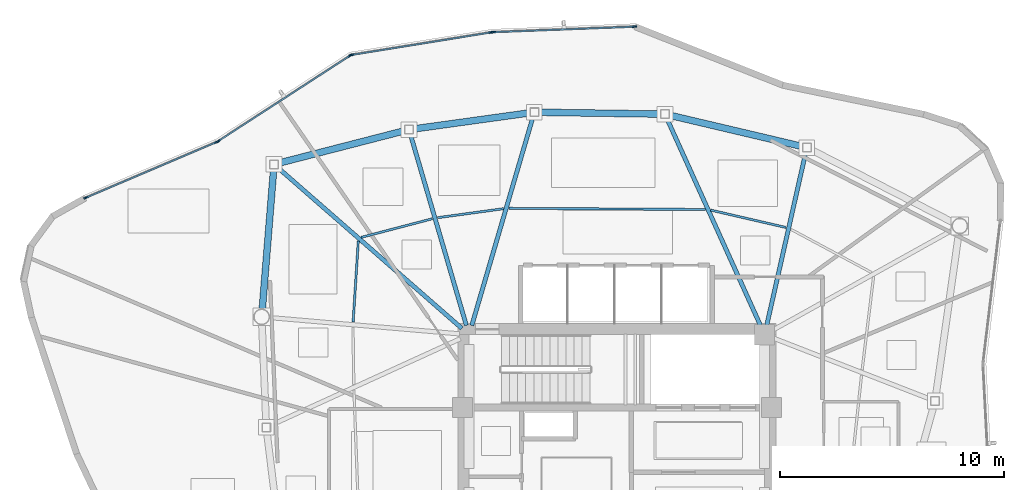
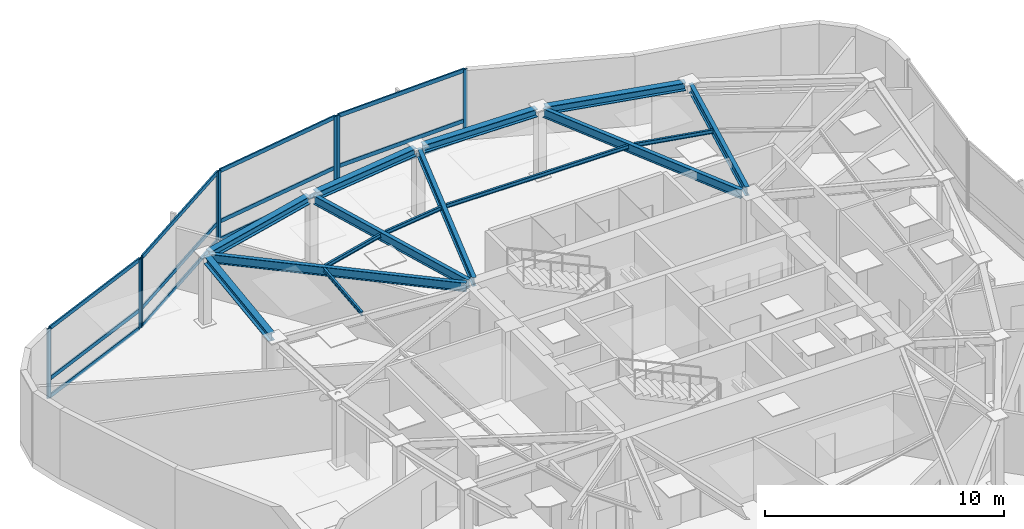
# One storey, part 5 of 12: 20 members, 15 beams, 4 elements without a shape of their own.
"""IFC4 building model written with IfcOpenShell, lengths in metres."""

from ifc_helpers import new_model, si_unit, direction, frame, origin, origin_2d, place, context, subcontext, project, spatial, hollow_rectangle, i_section, extrude, source, transform, mapped, material, layer, layer_set, material_profile, profile_set, type_object, type_shapes, element, aggregate, save


model = new_model("IFC4")

# Units and contexts
model_context = context("Model", 3, precision=1e-05, world=origin(), true_north=direction((0.0, 1.0)))
body_context = subcontext(model_context, "Body", "Model", "MODEL_VIEW")
ifc_project = project(units=[si_unit("LENGTHUNIT", "METRE"), si_unit("AREAUNIT", "SQUARE_METRE"), si_unit("VOLUMEUNIT", "CUBIC_METRE"), si_unit("PLANEANGLEUNIT", "RADIAN"), si_unit("MASSUNIT", "GRAM", prefix="KILO")], contexts=[model_context])

# Site, building, storey
site_placement = place(None, origin())
site = spatial("IfcSite", under=ifc_project, at=site_placement, CompositionType="ELEMENT")
building_placement = place(site_placement, origin())
building = spatial("IfcBuilding", under=site, at=building_placement, Name="Tavelor Broadcast Tower", CompositionType="ELEMENT")
storey_placement = place(building_placement, frame((0.0, 0.0, 321.5)))
storey = spatial("IfcBuildingStorey", under=building, at=storey_placement, Name="L77", CompositionType="ELEMENT", Elevation=321.5)

# Beams
ifc_material_1 = material(Name="Steel S355", Category="steel")
ifc_material_profile_1 = material_profile(ifc_material_1, i_section(OverallWidth=0.10009765625, OverallDepth=0.199951171875, WebThickness=0.005615234375, FlangeThickness=0.008544921875, at=origin_2d()), Name="IPE 200")
ifc_profile_set_1 = profile_set([ifc_material_profile_1], Name="Steel S355")
beam_type_1 = type_object("IfcBeamType", Name="Composite Floor Joist T8 IPE 200", PredefinedType="JOIST", material=ifc_profile_set_1)
beam_1_placement = place(storey_placement, frame((57.553466796875, 55.98828125, 3.449951171875), z_axis=(-0.974380456478, 0.224906038232, 0.0), x_axis=(-0.224906038232, -0.974380456478, 0.0)))
element("IfcBeam", 1, at=beam_1_placement, inside=storey, type_object=beam_type_1, Name="L77 Secondary Composite Floor Joist 14", PredefinedType="JOIST", context=body_context, shape_type="SweptSolid", body=[
    extrude(i_section(OverallWidth=0.10009765625, OverallDepth=0.199951171875, WebThickness=0.005615234375, FlangeThickness=0.008544921875, at=origin_2d()), origin(), (0.0, 0.0, 1.0), 3.44873046875),
])
beam_2_placement = place(storey_placement, frame((53.948486328125, 56.79248046875, 3.449951171875), z_axis=(-0.999983070215, 0.005818873004, 0.0), x_axis=(-0.005818873004, -0.999983070215, 0.0)))
element("IfcBeam", 2, at=beam_2_placement, inside=storey, type_object=beam_type_1, Name="L77 Secondary Composite Floor Joist 15", PredefinedType="JOIST", context=body_context, shape_type="SweptSolid", body=[
    extrude(i_section(OverallWidth=0.10009765625, OverallDepth=0.199951171875, WebThickness=0.005615234375, FlangeThickness=0.008544921875, at=origin_2d()), origin(), (0.0, 0.0, 1.0), 8.76904296875),
])
beam_3_placement = place(storey_placement, frame((44.933349609375, 56.827392578125, 3.449951171875), z_axis=(-0.990783480594, -0.135455138636, 0.0), x_axis=(0.135455138636, -0.990783480594, 0.0)))
element("IfcBeam", 3, at=beam_3_placement, inside=storey, type_object=beam_type_1, Name="L77 Secondary Composite Floor Joist 16", PredefinedType="JOIST", context=body_context, shape_type="SweptSolid", body=[
    extrude(i_section(OverallWidth=0.10009765625, OverallDepth=0.199951171875, WebThickness=0.005615234375, FlangeThickness=0.008544921875, at=origin_2d()), origin(), (0.0, 0.0, 1.0), 2.963134765625),
])
beam_4_placement = place(storey_placement, frame((41.755126953125, 56.3779296875, 3.449951171875), z_axis=(-0.967401296423, -0.253248359677, 0.0), x_axis=(0.253248359677, -0.967401296423, 0.0)))
element("IfcBeam", 4, at=beam_4_placement, inside=storey, type_object=beam_type_1, Name="L77 Secondary Composite Floor Joist 17", PredefinedType="JOIST", context=body_context, shape_type="SweptSolid", body=[
    extrude(i_section(OverallWidth=0.10009765625, OverallDepth=0.199951171875, WebThickness=0.005615234375, FlangeThickness=0.008544921875, at=origin_2d()), origin(), (0.0, 0.0, 1.0), 3.282470703125),
])
beam_5_placement = place(storey_placement, frame((38.451904296875, 55.391845703125, 3.449951171875), z_axis=(-0.063760012588, -0.997965260315, 0.0), x_axis=(0.997965260315, -0.063760012588, 0.0)))
element("IfcBeam", 5, at=beam_5_placement, inside=storey, type_object=beam_type_1, Name="L77 Secondary Composite Floor Joist 18", PredefinedType="JOIST", context=body_context, shape_type="SweptSolid", body=[
    extrude(i_section(OverallWidth=0.10009765625, OverallDepth=0.199951171875, WebThickness=0.005615234375, FlangeThickness=0.008544921875, at=origin_2d()), origin(), (0.0, 0.0, 1.0), 3.6298828125),
])
ifc_material_profile_2 = material_profile(ifc_material_1, i_section(OverallWidth=0.300048828125, OverallDepth=0.39990234375, WebThickness=0.013427734375, FlangeThickness=0.02392578125, at=origin_2d()), Name="HEB 400")
ifc_profile_set_2 = profile_set([ifc_material_profile_2], Name="Steel S355")
beam_type_2 = type_object("IfcBeamType", Name="Perimeter Spandrel Beam T8 HEB 400", PredefinedType="SPANDREL", material=ifc_profile_set_2)
beam_6_placement = place(storey_placement, frame((58.298583984375, 59.601318359375, 3.35009765625), z_axis=(-0.973341352965, 0.229361310181, 0.0), x_axis=(-0.229361310181, -0.973341352965, 0.0)))
element("IfcBeam", 6, at=beam_6_placement, inside=storey, type_object=beam_type_2, Name="L77 Framed-Tube Ring Spandrel 14", PredefinedType="SPANDREL", context=body_context, shape_type="SweptSolid", body=[
    extrude(i_section(OverallWidth=0.300048828125, OverallDepth=0.39990234375, WebThickness=0.013427734375, FlangeThickness=0.02392578125, at=origin_2d()), origin(), (0.0, 0.0, 1.0), 6.1279296875),
])
beam_7_placement = place(storey_placement, frame((51.955078125, 61.0537109375, 3.35009765625), z_axis=(-0.999889988423, 0.014832769514, 0.0), x_axis=(-0.014832769514, -0.999889988423, 0.0)))
element("IfcBeam", 7, at=beam_7_placement, inside=storey, type_object=beam_type_2, Name="L77 Framed-Tube Ring Spandrel 15", PredefinedType="SPANDREL", context=body_context, shape_type="SweptSolid", body=[
    extrude(i_section(OverallWidth=0.300048828125, OverallDepth=0.39990234375, WebThickness=0.013427734375, FlangeThickness=0.02392578125, at=origin_2d()), origin(), (0.0, 0.0, 1.0), 5.447998046875),
])
beam_8_placement = place(storey_placement, frame((46.125244140625, 61.11083984375, 3.35009765625), z_axis=(-0.990516995132, -0.137390255677, 0.0), x_axis=(0.137390255677, -0.990516995132, 0.0)))
element("IfcBeam", 8, at=beam_8_placement, inside=storey, type_object=beam_type_2, Name="L77 Framed-Tube Ring Spandrel 16", PredefinedType="SPANDREL", context=body_context, shape_type="SweptSolid", body=[
    extrude(i_section(OverallWidth=0.300048828125, OverallDepth=0.39990234375, WebThickness=0.013427734375, FlangeThickness=0.02392578125, at=origin_2d()), origin(), (0.0, 0.0, 1.0), 5.26708984375),
])
beam_9_placement = place(storey_placement, frame((40.531982421875, 60.31298828125, 3.35009765625), z_axis=(-0.96843501409, -0.249266169955, 0.0), x_axis=(0.249266169955, -0.96843501409, 0.0)))
element("IfcBeam", 9, at=beam_9_placement, inside=storey, type_object=beam_type_2, Name="L77 Framed-Tube Ring Spandrel 17", PredefinedType="SPANDREL", context=body_context, shape_type="SweptSolid", body=[
    extrude(i_section(OverallWidth=0.300048828125, OverallDepth=0.39990234375, WebThickness=0.013427734375, FlangeThickness=0.02392578125, at=origin_2d()), origin(), (0.0, 0.0, 1.0), 5.84130859375),
])
beam_10_placement = place(storey_placement, frame((34.673583984375, 58.61767578125, 3.35009765625), z_axis=(-0.081080064874, -0.996707591563, 0.0), x_axis=(0.996707591563, -0.081080064874, 0.0)))
element("IfcBeam", 10, at=beam_10_placement, inside=storey, type_object=beam_type_2, Name="L77 Framed-Tube Ring Spandrel 18", PredefinedType="SPANDREL", context=body_context, shape_type="SweptSolid", body=[
    extrude(i_section(OverallWidth=0.300048828125, OverallDepth=0.39990234375, WebThickness=0.013427734375, FlangeThickness=0.02392578125, at=origin_2d()), origin(), (0.0, 0.0, 1.0), 6.30224609375),
])
ifc_material_profile_3 = material_profile(ifc_material_1, i_section(OverallWidth=0.18994140625, OverallDepth=0.449951171875, WebThickness=0.009521484375, FlangeThickness=0.0146484375, at=origin_2d()), Name="IPE 450")
ifc_profile_set_3 = profile_set([ifc_material_profile_3], Name="Steel S355")
beam_type_3 = type_object("IfcBeamType", Name="Radial Floor Girder T8 IPE 450", PredefinedType="BEAM", material=ifc_profile_set_3)
beam_11_placement = place(storey_placement, frame((56.695068359375, 51.621337890625, 3.324951171875), z_axis=(0.220095779936, 0.975478266111, 0.0), x_axis=(-0.975478266111, 0.220095779936, 0.0)))
element("IfcBeam", 11, at=beam_11_placement, inside=storey, type_object=beam_type_3, Name="L77 Radial Primary Floor Girder 14", PredefinedType="BEAM", context=body_context, shape_type="SweptSolid", body=[
    extrude(i_section(OverallWidth=0.18994140625, OverallDepth=0.449951171875, WebThickness=0.009521484375, FlangeThickness=0.0146484375, at=origin_2d()), origin(), (0.0, 0.0, 1.0), 7.943359375),
])
beam_12_placement = place(storey_placement, frame((56.422119140625, 51.59375, 3.324951171875), z_axis=(-0.411898788623, 0.911229602203, 0.0), x_axis=(-0.911229602203, -0.411898788623, 0.0)))
element("IfcBeam", 12, at=beam_12_placement, inside=storey, type_object=beam_type_3, Name="L77 Radial Primary Floor Girder 15", PredefinedType="BEAM", context=body_context, shape_type="SweptSolid", body=[
    extrude(i_section(OverallWidth=0.18994140625, OverallDepth=0.449951171875, WebThickness=0.009521484375, FlangeThickness=0.0146484375, at=origin_2d()), origin(), (0.0, 0.0, 1.0), 10.1865234375),
])
beam_13_placement = place(storey_placement, frame((43.521484375, 51.614501953125, 3.324951171875), z_axis=(0.281536086391, 0.959550640696, 0.0), x_axis=(-0.959550640696, 0.281536086391, 0.0)))
element("IfcBeam", 13, at=beam_13_placement, inside=storey, type_object=beam_type_3, Name="L77 Radial Primary Floor Girder 16", PredefinedType="BEAM", context=body_context, shape_type="SweptSolid", body=[
    extrude(i_section(OverallWidth=0.18994140625, OverallDepth=0.449951171875, WebThickness=0.009521484375, FlangeThickness=0.0146484375, at=origin_2d()), origin(), (0.0, 0.0, 1.0), 9.732177734375),
])
beam_14_placement = place(storey_placement, frame((43.278564453125, 51.614501953125, 3.324951171875), z_axis=(-0.280989740676, 0.959710771866, 0.0), x_axis=(-0.959710771866, -0.280989740676, 0.0)))
element("IfcBeam", 14, at=beam_14_placement, inside=storey, type_object=beam_type_3, Name="L77 Radial Primary Floor Girder 17", PredefinedType="BEAM", context=body_context, shape_type="SweptSolid", body=[
    extrude(i_section(OverallWidth=0.18994140625, OverallDepth=0.449951171875, WebThickness=0.009521484375, FlangeThickness=0.0146484375, at=origin_2d()), origin(), (0.0, 0.0, 1.0), 8.92138671875),
])
beam_15_placement = place(storey_placement, frame((43.07470703125, 51.484130859375, 3.324951171875), z_axis=(-0.753136193323, 0.657864632206, 0.0), x_axis=(-0.657864632206, -0.753136193323, 0.0)))
element("IfcBeam", 15, at=beam_15_placement, inside=storey, type_object=beam_type_3, Name="L77 Radial Primary Floor Girder 18", PredefinedType="BEAM", context=body_context, shape_type="SweptSolid", body=[
    extrude(i_section(OverallWidth=0.18994140625, OverallDepth=0.449951171875, WebThickness=0.009521484375, FlangeThickness=0.0146484375, at=origin_2d()), origin(), (0.0, 0.0, 1.0), 10.942138671875),
])

# Curtain wall, members
ifc_material_2 = material(Name="Architectural Anodized Aluminium", Category="aluminium")
ifc_layer = layer(ifc_material_2, 0.199951171875)
ifc_layer_set = layer_set([ifc_layer], Name="Architectural Anodized Aluminium")
curtain_wall_type = type_object("IfcCurtainWallType", Name="Tower High-Zone Triple-Glazed Curtain Wall CW04", PredefinedType="NOTDEFINED", material=ifc_layer_set)
curtain_wall_1_placement = place(storey_placement, origin())
curtain_wall_1 = element("IfcCurtainWall", 16, at=curtain_wall_1_placement, inside=storey, type_object=curtain_wall_type, Name="L77 Curtain Wall CW04 Run 861", PredefinedType="NOTDEFINED")
ifc_material_profile_4 = material_profile(ifc_material_2, hollow_rectangle(XDim=0.070068359375, YDim=0.199951171875, WallThickness=0.02197265625, at=origin_2d()), Name="RHS 70x200x22")
ifc_profile_set_4 = profile_set([ifc_material_profile_4], Name="Architectural Anodized Aluminium")
member_type_1 = type_object("IfcMemberType", Name="CW04 Extruded Aluminium Mullion 70x200", PredefinedType="MULLION", material=ifc_profile_set_4)
shared_shape_1 = source(origin(), body_context, "Body", "SweptSolid", [
    extrude(hollow_rectangle(XDim=0.070068359375, YDim=0.199951171875, WallThickness=0.02197265625, at=origin_2d()), origin(), (0.0, 0.0, 1.0), 3.550048828125),
])
type_shapes(member_type_1, [shared_shape_1])
member_1_placement = place(storey_placement, frame((50.784423828125, 64.956298828125, 0.0), z_axis=(0.0, 0.0, 1.0), x_axis=(0.038830633083, -0.999245806563, 0.0)))
member_1 = element("IfcMember", 17, at=member_1_placement, type_object=member_type_1, Name="CW04 mullion 1", PredefinedType="MULLION", context=body_context, shape_type="MappedRepresentation", body=[
    mapped(shared_shape_1, transform((0.0, 0.0, 0.0), scale=1.0)),
])
member_2_placement = place(storey_placement, frame((44.482666015625, 64.71142578125, 0.0), z_axis=(0.0, 0.0, 1.0), x_axis=(0.038830633083, -0.999245806563, 0.0)))
member_2 = element("IfcMember", 18, at=member_2_placement, type_object=member_type_1, Name="CW04 mullion 2", PredefinedType="MULLION", context=body_context, shape_type="MappedRepresentation", body=[
    mapped(shared_shape_1, transform((0.0, 0.0, 0.0), scale=1.0)),
])

curtain_wall_2_placement = place(storey_placement, origin())
curtain_wall_2 = element("IfcCurtainWall", 19, at=curtain_wall_2_placement, inside=storey, type_object=curtain_wall_type, Name="L77 Curtain Wall CW04 Run 862", PredefinedType="NOTDEFINED")
member_3_placement = place(storey_placement, frame((44.38330078125, 64.701416015625, 0.0), z_axis=(0.0, 0.0, 1.0), x_axis=(0.159446438687, -0.987206580808, 0.0)))
member_3 = element("IfcMember", 20, at=member_3_placement, type_object=member_type_1, Name="CW04 mullion 1", PredefinedType="MULLION", context=body_context, shape_type="MappedRepresentation", body=[
    mapped(shared_shape_1, transform((0.0, 0.0, 0.0), scale=1.0)),
])
member_4_placement = place(storey_placement, frame((38.17236328125, 63.698486328125, 0.0), z_axis=(0.0, 0.0, 1.0), x_axis=(0.159446438687, -0.987206580808, 0.0)))
member_4 = element("IfcMember", 21, at=member_4_placement, type_object=member_type_1, Name="CW04 mullion 2", PredefinedType="MULLION", context=body_context, shape_type="MappedRepresentation", body=[
    mapped(shared_shape_1, transform((0.0, 0.0, 0.0), scale=1.0)),
])

curtain_wall_3_placement = place(storey_placement, origin())
curtain_wall_3 = element("IfcCurtainWall", 22, at=curtain_wall_3_placement, inside=storey, type_object=curtain_wall_type, Name="L77 Curtain Wall CW04 Run 863", PredefinedType="NOTDEFINED")
member_5_placement = place(storey_placement, frame((38.0810546875, 63.6630859375, 0.0), z_axis=(0.0, 0.0, 1.0), x_axis=(0.544610870778, -0.838688857342, 0.0)))
member_5 = element("IfcMember", 23, at=member_5_placement, type_object=member_type_1, Name="CW04 mullion 1", PredefinedType="MULLION", context=body_context, shape_type="MappedRepresentation", body=[
    mapped(shared_shape_1, transform((0.0, 0.0, 0.0), scale=1.0)),
])
member_6_placement = place(storey_placement, frame((32.211669921875, 59.8515625, 0.0), z_axis=(0.0, 0.0, 1.0), x_axis=(0.544610870778, -0.838688857342, 0.0)))
member_6 = element("IfcMember", 24, at=member_6_placement, type_object=member_type_1, Name="CW04 mullion 2", PredefinedType="MULLION", context=body_context, shape_type="MappedRepresentation", body=[
    mapped(shared_shape_1, transform((0.0, 0.0, 0.0), scale=1.0)),
])

curtain_wall_4_placement = place(storey_placement, origin())
curtain_wall_4 = element("IfcCurtainWall", 25, at=curtain_wall_4_placement, inside=storey, type_object=curtain_wall_type, Name="L77 Curtain Wall CW04 Run 864", PredefinedType="NOTDEFINED")
member_7_placement = place(storey_placement, frame((32.123779296875, 59.804931640625, 0.0), z_axis=(0.0, 0.0, 1.0), x_axis=(0.391953634588, -0.919984971798, 0.0)))
member_7 = element("IfcMember", 26, at=member_7_placement, type_object=member_type_1, Name="CW04 mullion 1", PredefinedType="MULLION", context=body_context, shape_type="MappedRepresentation", body=[
    mapped(shared_shape_1, transform((0.0, 0.0, 0.0), scale=1.0)),
])
member_8_placement = place(storey_placement, frame((26.28271484375, 57.31640625, 0.0), z_axis=(0.0, 0.0, 1.0), x_axis=(0.391953634588, -0.919984971798, 0.0)))
member_8 = element("IfcMember", 27, at=member_8_placement, type_object=member_type_1, Name="CW04 mullion 2", PredefinedType="MULLION", context=body_context, shape_type="MappedRepresentation", body=[
    mapped(shared_shape_1, transform((0.0, 0.0, 0.0), scale=1.0)),
])

# Member
ifc_material_profile_5 = material_profile(ifc_material_2, hollow_rectangle(XDim=0.070068359375, YDim=0.199951171875, WallThickness=0.02197265625, at=origin_2d()), Name="RHS 70x200x22")
ifc_profile_set_5 = profile_set([ifc_material_profile_5], Name="Architectural Anodized Aluminium")
member_type_2 = type_object("IfcMemberType", Name="CW04 Extruded Aluminium Transom 70x200", PredefinedType="USERDEFINED", material=ifc_profile_set_5)
shared_shape_2 = source(origin(), body_context, "Body", "SweptSolid", [
    extrude(hollow_rectangle(XDim=0.070068359375, YDim=0.199951171875, WallThickness=0.02197265625, at=origin_2d()), origin(), (0.0, 0.0, 1.0), 6.236328125),
])
member_9_placement = place(storey_placement, frame((50.749267578125, 64.955078125, 0.034912109375), z_axis=(-0.999245654648, -0.03883454219, 0.0), x_axis=(0.03883454219, -0.999245654648, 0.0)))
member_9 = element("IfcMember", 28, at=member_9_placement, type_object=member_type_2, Name="CW04 transom 1.1", ObjectType="TRANSOM", PredefinedType="USERDEFINED", context=body_context, shape_type="MappedRepresentation", body=[
    mapped(shared_shape_2, transform((0.0, 0.0, 0.0), scale=1.0)),
])

member_10_placement = place(storey_placement, frame((50.749267578125, 64.955078125, 0.949951171875), z_axis=(-0.999245654648, -0.03883454219, 0.0), x_axis=(0.03883454219, -0.999245654648, 0.0)))
member_10 = element("IfcMember", 29, at=member_10_placement, type_object=member_type_2, Name="CW04 transom 1.2", ObjectType="TRANSOM", PredefinedType="USERDEFINED", context=body_context, shape_type="MappedRepresentation", body=[
    mapped(shared_shape_2, transform((0.0, 0.0, 0.0), scale=1.0)),
])

member_11_placement = place(storey_placement, frame((50.749267578125, 64.955078125, 3.514892578125), z_axis=(-0.999245654648, -0.03883454219, 0.0), x_axis=(0.03883454219, -0.999245654648, 0.0)))
member_11 = element("IfcMember", 30, at=member_11_placement, type_object=member_type_2, Name="CW04 transom 1.3", ObjectType="TRANSOM", PredefinedType="USERDEFINED", context=body_context, shape_type="MappedRepresentation", body=[
    mapped(shared_shape_2, transform((0.0, 0.0, 0.0), scale=1.0)),
])

aggregate(curtain_wall_1, [member_1, member_2, member_9, member_10, member_11])

shared_shape_3 = source(origin(), body_context, "Body", "SweptSolid", [
    extrude(hollow_rectangle(XDim=0.070068359375, YDim=0.199951171875, WallThickness=0.02197265625, at=origin_2d()), origin(), (0.0, 0.0, 1.0), 6.928466796875),
])
member_12_placement = place(storey_placement, frame((38.0517578125, 63.64404296875, 0.034912109375), z_axis=(-0.838679422311, -0.544625400245, 0.0), x_axis=(0.544625400245, -0.838679422311, 0.0)))
member_12 = element("IfcMember", 31, at=member_12_placement, type_object=member_type_2, Name="CW04 transom 1.1", ObjectType="TRANSOM", PredefinedType="USERDEFINED", context=body_context, shape_type="MappedRepresentation", body=[
    mapped(shared_shape_3, transform((0.0, 0.0, 0.0), scale=1.0)),
])

member_13_placement = place(storey_placement, frame((38.0517578125, 63.64404296875, 0.949951171875), z_axis=(-0.838679422311, -0.544625400245, 0.0), x_axis=(0.544625400245, -0.838679422311, 0.0)))
member_13 = element("IfcMember", 32, at=member_13_placement, type_object=member_type_2, Name="CW04 transom 1.2", ObjectType="TRANSOM", PredefinedType="USERDEFINED", context=body_context, shape_type="MappedRepresentation", body=[
    mapped(shared_shape_3, transform((0.0, 0.0, 0.0), scale=1.0)),
])

member_14_placement = place(storey_placement, frame((38.0517578125, 63.64404296875, 3.514892578125), z_axis=(-0.838679422311, -0.544625400245, 0.0), x_axis=(0.544625400245, -0.838679422311, 0.0)))
member_14 = element("IfcMember", 33, at=member_14_placement, type_object=member_type_2, Name="CW04 transom 1.3", ObjectType="TRANSOM", PredefinedType="USERDEFINED", context=body_context, shape_type="MappedRepresentation", body=[
    mapped(shared_shape_3, transform((0.0, 0.0, 0.0), scale=1.0)),
])

aggregate(curtain_wall_3, [member_5, member_6, member_12, member_13, member_14])

shared_shape_4 = source(origin(), body_context, "Body", "SweptSolid", [
    extrude(hollow_rectangle(XDim=0.070068359375, YDim=0.199951171875, WallThickness=0.02197265625, at=origin_2d()), origin(), (0.0, 0.0, 1.0), 6.221435546875),
])
member_15_placement = place(storey_placement, frame((44.348876953125, 64.696044921875, 0.034912109375), z_axis=(-0.987201490372, -0.159477952732, 0.0), x_axis=(0.159477952732, -0.987201490372, 0.0)))
member_15 = element("IfcMember", 34, at=member_15_placement, type_object=member_type_2, Name="CW04 transom 1.1", ObjectType="TRANSOM", PredefinedType="USERDEFINED", context=body_context, shape_type="MappedRepresentation", body=[
    mapped(shared_shape_4, transform((0.0, 0.0, 0.0), scale=1.0)),
])

member_16_placement = place(storey_placement, frame((44.348876953125, 64.696044921875, 0.949951171875), z_axis=(-0.987201490372, -0.159477952732, 0.0), x_axis=(0.159477952732, -0.987201490372, 0.0)))
member_16 = element("IfcMember", 35, at=member_16_placement, type_object=member_type_2, Name="CW04 transom 1.2", ObjectType="TRANSOM", PredefinedType="USERDEFINED", context=body_context, shape_type="MappedRepresentation", body=[
    mapped(shared_shape_4, transform((0.0, 0.0, 0.0), scale=1.0)),
])

member_17_placement = place(storey_placement, frame((44.348876953125, 64.696044921875, 3.514892578125), z_axis=(-0.987201490372, -0.159477952732, 0.0), x_axis=(0.159477952732, -0.987201490372, 0.0)))
member_17 = element("IfcMember", 36, at=member_17_placement, type_object=member_type_2, Name="CW04 transom 1.3", ObjectType="TRANSOM", PredefinedType="USERDEFINED", context=body_context, shape_type="MappedRepresentation", body=[
    mapped(shared_shape_4, transform((0.0, 0.0, 0.0), scale=1.0)),
])

aggregate(curtain_wall_2, [member_3, member_4, member_15, member_16, member_17])

shared_shape_5 = source(origin(), body_context, "Body", "SweptSolid", [
    extrude(hollow_rectangle(XDim=0.070068359375, YDim=0.199951171875, WallThickness=0.02197265625, at=origin_2d()), origin(), (0.0, 0.0, 1.0), 6.279296875),
])
type_shapes(member_type_2, [shared_shape_2, shared_shape_3, shared_shape_4, shared_shape_5])
member_18_placement = place(storey_placement, frame((32.091552734375, 59.791259765625, 0.034912109375), z_axis=(-0.919985556999, -0.391952261014, 0.0), x_axis=(0.391952261014, -0.919985556999, 0.0)))
member_18 = element("IfcMember", 37, at=member_18_placement, type_object=member_type_2, Name="CW04 transom 1.1", ObjectType="TRANSOM", PredefinedType="USERDEFINED", context=body_context, shape_type="MappedRepresentation", body=[
    mapped(shared_shape_5, transform((0.0, 0.0, 0.0), scale=1.0)),
])

member_19_placement = place(storey_placement, frame((32.091552734375, 59.791259765625, 0.949951171875), z_axis=(-0.919985556999, -0.391952261014, 0.0), x_axis=(0.391952261014, -0.919985556999, 0.0)))
member_19 = element("IfcMember", 38, at=member_19_placement, type_object=member_type_2, Name="CW04 transom 1.2", ObjectType="TRANSOM", PredefinedType="USERDEFINED", context=body_context, shape_type="MappedRepresentation", body=[
    mapped(shared_shape_5, transform((0.0, 0.0, 0.0), scale=1.0)),
])

member_20_placement = place(storey_placement, frame((32.091552734375, 59.791259765625, 3.514892578125), z_axis=(-0.919985556999, -0.391952261014, 0.0), x_axis=(0.391952261014, -0.919985556999, 0.0)))
member_20 = element("IfcMember", 39, at=member_20_placement, type_object=member_type_2, Name="CW04 transom 1.3", ObjectType="TRANSOM", PredefinedType="USERDEFINED", context=body_context, shape_type="MappedRepresentation", body=[
    mapped(shared_shape_5, transform((0.0, 0.0, 0.0), scale=1.0)),
])

aggregate(curtain_wall_4, [member_7, member_8, member_18, member_19, member_20])

save(model, "model.ifc")
